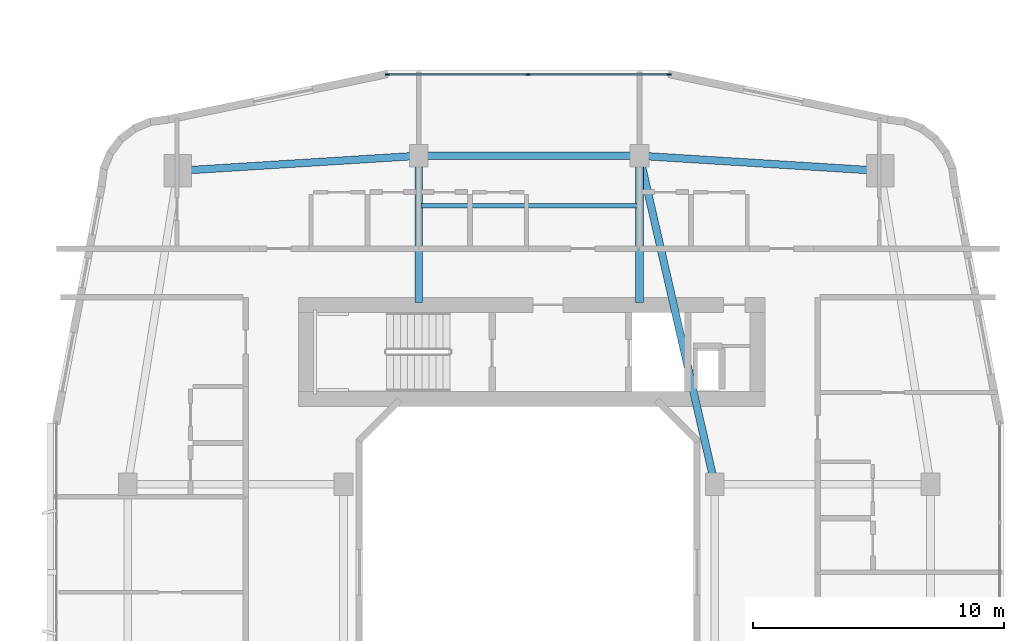
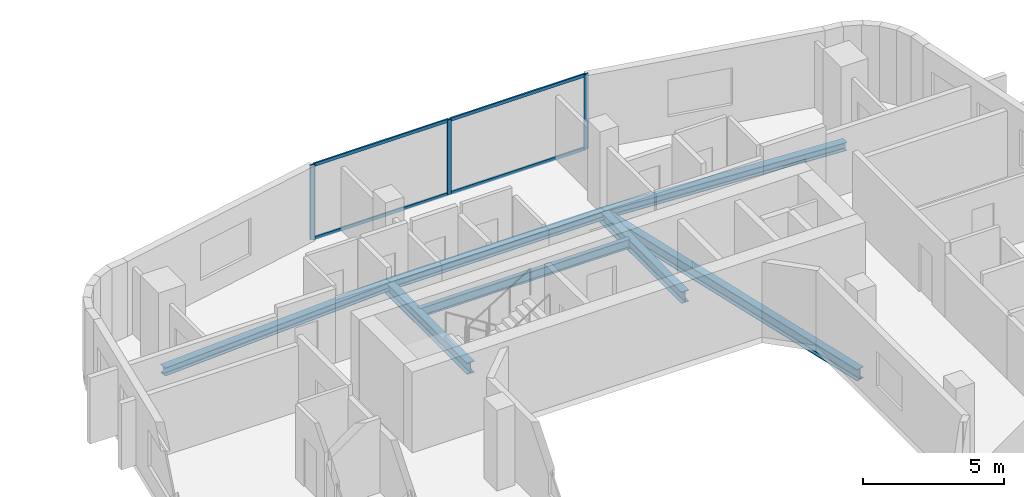
# One storey, part 11 of 27: 7 beams, 7 members, 1 element without a shape of its own.
"""IFC4 building model written with IfcOpenShell, lengths in metres."""

import ifcopenshell
import ifcopenshell.guid

model = None  # the IFC model being written
_history = None  # IfcOwnerHistory: only IFC2X3 demands one
_inside = {}  # id of a spatial element -> (the spatial element, [elements in it])
_under = {}  # id of a project, library or spatial element -> (it, [spatial elements below it])
_declared = {}  # id of a project -> (the project, [libraries it declares])
_typed = {}  # id of a type object -> (the type object, [elements of that type])
_made_of = {}  # id of a material, layer set ... -> (it, [elements and type objects made of it])


def new_model(schema):
    """Start an empty IFC model of exactly this schema.

    Asked for "IFC4X3", IfcOpenShell would pick the latest addendum, in which some entities
    have other attributes; the version numbers below select the first issue.
    IFC2X3 requires an IfcOwnerHistory on every rooted entity: one is made here for all.
    """
    global model, _history
    if schema == "IFC4X3":
        model = ifcopenshell.file(schema_version=(4, 3, 0, 0))
    else:
        model = ifcopenshell.file(schema=schema)
    _inside.clear()
    _under.clear()
    _declared.clear()
    _typed.clear()
    _made_of.clear()
    _history = None
    if model.schema == "IFC2X3":
        org = make("IfcOrganization", Name="unknown")
        user = make(
            "IfcPersonAndOrganization",
            ThePerson=make("IfcPerson", FamilyName="unknown"),
            TheOrganization=org,
        )
        app = make(
            "IfcApplication",
            ApplicationDeveloper=org,
            Version="unknown",
            ApplicationFullName="unknown",
            ApplicationIdentifier="unknown",
        )
        _history = make(
            "IfcOwnerHistory",
            OwningUser=user,
            OwningApplication=app,
            ChangeAction="ADDED",
            CreationDate=0,
        )
    return model


def make(cls, **values):
    """One entity of the class cls with the attributes given. An attribute that is None is left unset."""
    return model.create_entity(
        cls, **{name: value for name, value in values.items() if value is not None}
    )


def rooted(cls, **values):
    """An entity with a GlobalId (a new one), such as an element, a storey or a relation."""
    return make(cls, GlobalId=ifcopenshell.guid.new(), OwnerHistory=_history, **values)


def si_unit(unit_type, name, prefix=None):
    """IfcSIUnit, for example si_unit("LENGTHUNIT", "METRE", prefix="MILLI")."""
    return make("IfcSIUnit", UnitType=unit_type, Prefix=prefix, Name=name)


def derived_unit(unit_type, elements):
    """IfcDerivedUnit: a product of units, each with its exponent."""
    return make(
        "IfcDerivedUnit",
        Elements=[
            make("IfcDerivedUnitElement", Unit=unit, Exponent=power)
            for unit, power in elements
        ],
        UnitType=unit_type,
    )


def assignment(units):
    """IfcUnitAssignment: the units of a project."""
    return None if units is None else make("IfcUnitAssignment", Units=units)


def point(xyz):
    """IfcCartesianPoint."""
    return None if xyz is None else make("IfcCartesianPoint", Coordinates=xyz)


def direction(xyz):
    """IfcDirection."""
    return None if xyz is None else make("IfcDirection", DirectionRatios=xyz)


def frame(location, z_axis=None, x_axis=None):
    """IfcAxis2Placement3D, a coordinate frame: its origin and axes. An axis left out is left unset."""
    return make(
        "IfcAxis2Placement3D",
        Location=point(location),
        Axis=direction(z_axis),
        RefDirection=direction(x_axis),
    )


def frame_2d(location, x_axis=None):
    """IfcAxis2Placement2D, a coordinate frame in the plane: its origin and x axis."""
    return make(
        "IfcAxis2Placement2D", Location=point(location), RefDirection=direction(x_axis)
    )


def origin():
    """The frame at (0, 0, 0) with its axes left unset."""
    return frame((0.0, 0.0, 0.0))


def origin_2d():
    """The frame at (0, 0) in the plane with its x axis left unset."""
    return frame_2d((0.0, 0.0))


def place(relative_to, where):
    """IfcLocalPlacement: puts the frame where relative to a parent placement (None: the world)."""
    return make(
        "IfcLocalPlacement", PlacementRelTo=relative_to, RelativePlacement=where
    )


def context(
    kind, dimensions, precision=None, world=None, true_north=None, identifier=None
):
    """IfcGeometricRepresentationContext, for example the 3D "Model" context."""
    return make(
        "IfcGeometricRepresentationContext",
        ContextIdentifier=identifier,
        ContextType=kind,
        CoordinateSpaceDimension=dimensions,
        Precision=precision,
        WorldCoordinateSystem=world,
        TrueNorth=true_north,
    )


def subcontext(parent, identifier, kind, view, scale=None):
    """IfcGeometricRepresentationSubContext, for example "Body" below "Model"."""
    return make(
        "IfcGeometricRepresentationSubContext",
        ContextIdentifier=identifier,
        ContextType=kind,
        ParentContext=parent,
        TargetScale=scale,
        TargetView=view,
    )


def project(units=None, contexts=None):
    """IfcProject with its units and contexts."""
    return rooted(
        "IfcProject",
        Name="project",
        RepresentationContexts=contexts,
        UnitsInContext=assignment(units),
    )


def spatial(cls, under=None, at=None, **own):
    """A site, building, storey or space (cls), placed at a placement, below another one or the project."""
    s = rooted(cls, ObjectPlacement=at, **own)
    if under is not None:
        _under.setdefault(under.id(), (under, []))[1].append(s)
    return s


def profile(cls, at=None, kind="AREA", **sizes):
    """A parametric profile (cls). Its sizes go by their IFC names, for example OverallWidth=200.0."""
    return make(cls, ProfileType=kind, Position=at, **sizes)


def rectangle(**sizes):
    """IfcRectangleProfileDef."""
    return profile("IfcRectangleProfileDef", **sizes)


def i_section(**sizes):
    """IfcIShapeProfileDef."""
    return profile("IfcIShapeProfileDef", **sizes)


def extrude(swept, where, along, depth):
    """IfcExtrudedAreaSolid: the profile swept, set in the frame where, extruded along a direction by depth."""
    return make(
        "IfcExtrudedAreaSolid",
        SweptArea=swept,
        Position=where,
        ExtrudedDirection=direction(along),
        Depth=depth,
    )


def shape(context_of_items, identifier, shape_type, items):
    """IfcShapeRepresentation: the items that make up one representation, for example the "Body"."""
    return make(
        "IfcShapeRepresentation",
        ContextOfItems=context_of_items,
        RepresentationIdentifier=identifier,
        RepresentationType=shape_type,
        Items=items,
    )


def material(Name=None, Category=None):
    """IfcMaterial."""
    return make("IfcMaterial", Name=Name, Category=Category)


def layer(
    of_material, thickness, ventilated=None, Name=None, Category=None, Priority=None
):
    """IfcMaterialLayer: one layer of a wall or slab, of a material (None: an air gap)."""
    return make(
        "IfcMaterialLayer",
        Material=of_material,
        LayerThickness=thickness,
        IsVentilated=ventilated,
        Name=Name,
        Category=Category,
        Priority=Priority,
    )


def layer_set(layers, Name=None):
    """IfcMaterialLayerSet."""
    return make("IfcMaterialLayerSet", MaterialLayers=layers, LayerSetName=Name)


def material_profile(
    of_material, cross_section, Name=None, Category=None, Priority=None
):
    """IfcMaterialProfile: a cross section and its material."""
    return make(
        "IfcMaterialProfile",
        Name=Name,
        Material=of_material,
        Profile=cross_section,
        Priority=Priority,
        Category=Category,
    )


def profile_set(profiles, Name=None, composite=None):
    """IfcMaterialProfileSet."""
    return make(
        "IfcMaterialProfileSet",
        Name=Name,
        MaterialProfiles=profiles,
        CompositeProfile=composite,
    )


def made_of(thing, what):
    """Note that an element or type object is made of a material, layer set ...; save() writes the relation."""
    if what is not None:
        _made_of.setdefault(what.id(), (what, []))[1].append(thing)
    return thing


def type_object(cls, material=None, **own):
    """A type object (cls), such as IfcWallType, which elements share."""
    return made_of(rooted(cls, **own), material)


def element(
    cls,
    number,
    at=None,
    inside=None,
    cuts=None,
    type_object=None,
    material=None,
    context=None,
    identifier="Body",
    shape_type=None,
    held_by="IfcProductDefinitionShape",
    body=None,
    shapes=None,
    **own,
):
    """One element of the class cls, such as IfcWall. Its Tag is "e" and its number.

    at: its placement. inside: the storey or other place that contains it. cuts: it is an
    opening in that element (IfcRelVoidsElement). A single representation is given by context,
    identifier, shape_type and body (its items); several are given by shapes. held_by: the class
    of the entity that holds the representations. save() writes the other relations.
    """
    e = rooted(cls, Tag="e%d" % number, ObjectPlacement=at, **own)
    if body is not None:
        shapes = [shape(context, identifier, shape_type, body)]
    if shapes is not None:
        e.Representation = make(held_by, Representations=shapes)
    if inside is not None:
        _inside.setdefault(inside.id(), (inside, []))[1].append(e)
    if cuts is not None:
        rooted(
            "IfcRelVoidsElement", RelatingBuildingElement=cuts, RelatedOpeningElement=e
        )
    if type_object is not None:
        _typed.setdefault(type_object.id(), (type_object, []))[1].append(e)
    return made_of(e, material)


def aggregate(whole, parts):
    """IfcRelAggregates: a whole, such as a stair, and the parts it consists of."""
    return rooted("IfcRelAggregates", RelatingObject=whole, RelatedObjects=parts)


def save(model, path):
    """Write the relations noted so far, then the file.

    IfcRelAggregates (storeys below a building ...), IfcRelContainedInSpatialStructure (elements
    in a storey), IfcRelDefinesByType, IfcRelAssociatesMaterial and IfcRelDeclares: one each for
    every whole, place, type object, material and project.
    """
    for whole, parts in _under.values():
        aggregate(whole, parts)
    for where, things in _inside.values():
        rooted(
            "IfcRelContainedInSpatialStructure",
            RelatedElements=things,
            RelatingStructure=where,
        )
    for kind, things in _typed.values():
        rooted("IfcRelDefinesByType", RelatedObjects=things, RelatingType=kind)
    for what, things in _made_of.values():
        rooted("IfcRelAssociatesMaterial", RelatedObjects=things, RelatingMaterial=what)
    for by, libraries in _declared.values():
        rooted("IfcRelDeclares", RelatingContext=by, RelatedDefinitions=libraries)
    model.write(path)


model = new_model("IFC4")

# Units and contexts
model_context = context("Model", 3, precision=1e-05, world=origin(), true_north=direction((0.0, 1.0)))
body_context = subcontext(model_context, "Body", "Model", "MODEL_VIEW")
ifc_project = project(units=[si_unit("LENGTHUNIT", "METRE"), si_unit("AREAUNIT", "SQUARE_METRE"), si_unit("VOLUMEUNIT", "CUBIC_METRE"), si_unit("PLANEANGLEUNIT", "RADIAN"), si_unit("MASSUNIT", "GRAM", prefix="KILO"), derived_unit("THERMALTRANSMITTANCEUNIT", [(si_unit("POWERUNIT", "WATT"), 1), (si_unit("LENGTHUNIT", "METRE"), -2), (si_unit("THERMODYNAMICTEMPERATUREUNIT", "KELVIN"), -1)])], contexts=[model_context])

# Site, building, storey
site_placement = place(None, origin())
site = spatial("IfcSite", under=ifc_project, at=site_placement, CompositionType="ELEMENT")
building_placement = place(site_placement, origin())
building = spatial("IfcBuilding", under=site, at=building_placement, Name="Kivonza Crest Hotel", CompositionType="ELEMENT")
storey_placement = place(building_placement, frame((0.0, 0.0, 34.5)))
storey = spatial("IfcBuildingStorey", under=building, at=storey_placement, Name="L08", CompositionType="ELEMENT", Elevation=34.5)

# Beams
ifc_material_1 = material(Name="Steel S355", Category="steel")
ifc_material_profile_1 = material_profile(ifc_material_1, i_section(OverallWidth=0.300048828125, OverallDepth=0.360107421875, WebThickness=0.012451171875, FlangeThickness=0.0224609375, FilletRadius=0.027099609375, at=origin_2d()), Name="HEB 360")
ifc_profile_set_1 = profile_set([ifc_material_profile_1], Name="Steel S355")
beam_type_1 = type_object("IfcBeamType", Name="BM-HEB360", PredefinedType="SPANDREL", material=ifc_profile_set_1)
beam_1_placement = place(storey_placement, frame((91.0, 41.0, -0.429931640625), z_axis=(-0.998051985873, 0.062387767186, 0.0), x_axis=(-0.062387767186, -0.998051985873, 0.0)))
element("IfcBeam", 1, at=beam_1_placement, inside=storey, type_object=beam_type_1, Name="Companion Tower T2 L08 perimeter spandrel NE-N2", PredefinedType="SPANDREL", context=body_context, shape_type="SweptSolid", body=[
    extrude(i_section(OverallWidth=0.300048828125, OverallDepth=0.360107421875, WebThickness=0.012451171875, FlangeThickness=0.0224609375, FilletRadius=0.027099609375, at=origin_2d()), origin(), (0.0, 0.0, 1.0), 9.618896484375),
])
beam_2_placement = place(storey_placement, frame((81.39990234375, 41.60009765625, -0.429931640625), z_axis=(-1.0, 0.0, 0.0), x_axis=(0.0, -1.0, 0.0)))
element("IfcBeam", 2, at=beam_2_placement, inside=storey, type_object=beam_type_1, Name="Companion Tower T2 L08 perimeter spandrel N2-N1", PredefinedType="SPANDREL", context=body_context, shape_type="SweptSolid", body=[
    extrude(i_section(OverallWidth=0.300048828125, OverallDepth=0.360107421875, WebThickness=0.012451171875, FlangeThickness=0.0224609375, FilletRadius=0.027099609375, at=origin_2d()), origin(), (0.0, 0.0, 1.0), 8.7998046875),
])
beam_3_placement = place(storey_placement, frame((72.60009765625, 41.60009765625, -0.429931640625), z_axis=(-0.998051985873, -0.062387767186, 0.0), x_axis=(0.062387767186, -0.998051985873, 0.0)))
element("IfcBeam", 3, at=beam_3_placement, inside=storey, type_object=beam_type_1, Name="Companion Tower T2 L08 perimeter spandrel N1-NW", PredefinedType="SPANDREL", context=body_context, shape_type="SweptSolid", body=[
    extrude(i_section(OverallWidth=0.300048828125, OverallDepth=0.360107421875, WebThickness=0.012451171875, FlangeThickness=0.0224609375, FilletRadius=0.027099609375, at=origin_2d()), origin(), (0.0, 0.0, 1.0), 9.618896484375),
])
ifc_material_profile_2 = material_profile(ifc_material_1, i_section(OverallWidth=0.300048828125, OverallDepth=0.5, WebThickness=0.014404296875, FlangeThickness=0.028076171875, FilletRadius=0.027099609375, at=origin_2d()), Name="HEB 500")
ifc_profile_set_2 = profile_set([ifc_material_profile_2], Name="Steel S355")
beam_type_2 = type_object("IfcBeamType", Name="BM-HEB500", PredefinedType="BEAM", material=ifc_profile_set_2)
beam_4_placement = place(storey_placement, frame((84.39990234375, 28.5, -0.5), z_axis=(-0.223227287589, 0.974766422317, 0.0), x_axis=(-0.974766422317, -0.223227287589, 0.0)))
element("IfcBeam", 4, at=beam_4_placement, inside=storey, type_object=beam_type_2, Name="Companion Tower T2 L08 girder WR2-N2", PredefinedType="BEAM", context=body_context, shape_type="SweptSolid", body=[
    extrude(i_section(OverallWidth=0.300048828125, OverallDepth=0.5, WebThickness=0.014404296875, FlangeThickness=0.028076171875, FilletRadius=0.027099609375, at=origin_2d()), origin(), (0.0, 0.0, 1.0), 13.439208984375),
])
for number, where, z_axis, x_axis, name in (
    (5, (72.60009765625, 41.60009765625, -0.5), (0.0, -1.0, 0.0), (1.0, 0.0, 0.0), "Companion T2 L08 radial core girder RN1"),
    (6, (81.39990234375, 41.60009765625, -0.5), (0.0, -1.0, 0.0), (1.0, 0.0, 0.0), "Companion T2 L08 radial core girder RN2"),
):
    element("IfcBeam", number, at=place(storey_placement, frame(where, z_axis=z_axis, x_axis=x_axis)), inside=storey, type_object=beam_type_2, Name=name, PredefinedType="BEAM", context=body_context, shape_type="SweptSolid", body=[
        extrude(i_section(OverallWidth=0.300048828125, OverallDepth=0.5, WebThickness=0.014404296875, FlangeThickness=0.028076171875, FilletRadius=0.027099609375, at=origin_2d()), origin(), (0.0, 0.0, 1.0), 5.85009765625),
    ])
ifc_material_profile_3 = material_profile(ifc_material_1, i_section(OverallWidth=0.179931640625, OverallDepth=0.39990234375, WebThickness=0.008544921875, FlangeThickness=0.013427734375, FilletRadius=0.02099609375, at=origin_2d()), Name="IPE 400")
ifc_profile_set_3 = profile_set([ifc_material_profile_3], Name="Steel S355")
beam_type_3 = type_object("IfcBeamType", Name="BM-IPE400", PredefinedType="JOIST", material=ifc_profile_set_3)
beam_5_placement = place(storey_placement, frame((72.679931640625, 39.60009765625, -0.449951171875), z_axis=(1.0, 0.0, 0.0), x_axis=(0.0, 1.0, 0.0)))
element("IfcBeam", 7, at=beam_5_placement, inside=storey, type_object=beam_type_3, Name="Companion Tower T2 L08 North floor joist", PredefinedType="JOIST", context=body_context, shape_type="SweptSolid", body=[
    extrude(i_section(OverallWidth=0.179931640625, OverallDepth=0.39990234375, WebThickness=0.008544921875, FlangeThickness=0.013427734375, FilletRadius=0.02099609375, at=origin_2d()), origin(), (0.0, 0.0, 1.0), 8.64013671875),
])

# Curtain wall, members
ifc_material_2 = material(Name="Anodised bronze aluminium and low-E double glazing", Category="aluminium")
ifc_layer = layer(ifc_material_2, 0.179931640625)
ifc_layer_set = layer_set([ifc_layer], Name="Anodised bronze aluminium and low-E double glazing")
curtain_wall_type = type_object("IfcCurtainWallType", Name="CW-SYS-4", PredefinedType="NOTDEFINED", material=ifc_layer_set)
curtain_wall_placement = place(storey_placement, origin())
curtain_wall = element("IfcCurtainWall", 8, at=curtain_wall_placement, inside=storey, type_object=curtain_wall_type, Name="L08 unitised curtain wall CW-T2-L08-26", PredefinedType="NOTDEFINED")
ifc_material_3 = material(Name="Anodised bronze aluminium", Category="aluminium")
ifc_material_profile_4 = material_profile(ifc_material_3, rectangle(XDim=0.06494140625, YDim=0.179931640625, at=origin_2d()), Name="CW-M 65x180")
ifc_profile_set_4 = profile_set([ifc_material_profile_4], Name="Anodised bronze aluminium")
member_type_1 = type_object("IfcMemberType", Name="CW-MUL-65x180", PredefinedType="MULLION", material=ifc_profile_set_4)
member_1_placement = place(storey_placement, frame((82.575439453125, 44.840087890625, 0.0), z_axis=(0.0, 0.0, 1.0), x_axis=(0.0, -1.0, 0.0)))
member_1 = element("IfcMember", 9, at=member_1_placement, type_object=member_type_1, Name="CW-4 mullion 1", PredefinedType="MULLION", context=body_context, shape_type="SweptSolid", body=[
    extrude(rectangle(XDim=0.06494140625, YDim=0.179931640625, at=origin_2d()), origin(), (0.0, 0.0, 1.0), 3.25),
])
member_2_placement = place(storey_placement, frame((76.9599609375, 44.840087890625, 0.0), z_axis=(0.0, 0.0, 1.0), x_axis=(0.0, -1.0, 0.0)))
member_2 = element("IfcMember", 10, at=member_2_placement, type_object=member_type_1, Name="CW-4 mullion 2", PredefinedType="MULLION", context=body_context, shape_type="SweptSolid", body=[
    extrude(rectangle(XDim=0.06494140625, YDim=0.179931640625, at=origin_2d()), origin(), (0.0, 0.0, 1.0), 3.25),
])
member_3_placement = place(storey_placement, frame((71.344482421875, 44.840087890625, 0.0), z_axis=(0.0, 0.0, 1.0), x_axis=(0.0, -1.0, 0.0)))
member_3 = element("IfcMember", 11, at=member_3_placement, type_object=member_type_1, Name="CW-4 mullion 3", PredefinedType="MULLION", context=body_context, shape_type="SweptSolid", body=[
    extrude(rectangle(XDim=0.06494140625, YDim=0.179931640625, at=origin_2d()), origin(), (0.0, 0.0, 1.0), 3.25),
])
ifc_material_profile_5 = material_profile(ifc_material_3, rectangle(XDim=0.06494140625, YDim=0.139892578125, at=origin_2d()), Name="CW-T 65x140")
ifc_profile_set_5 = profile_set([ifc_material_profile_5], Name="Anodised bronze aluminium")
member_type_2 = type_object("IfcMemberType", Name="CW-TRN-65x140", PredefinedType="USERDEFINED", material=ifc_profile_set_5)
member_4_placement = place(storey_placement, frame((82.54296875, 44.840087890625, 0.032470703125), z_axis=(-1.0, 0.0, 0.0), x_axis=(0.0, -1.0, 0.0)))
member_4 = element("IfcMember", 12, at=member_4_placement, type_object=member_type_2, Name="CW-4 transom 1.1", ObjectType="TRANSOM", PredefinedType="USERDEFINED", context=body_context, shape_type="SweptSolid", body=[
    extrude(rectangle(XDim=0.06494140625, YDim=0.139892578125, at=origin_2d()), origin(), (0.0, 0.0, 1.0), 5.550537109375),
])
member_5_placement = place(storey_placement, frame((82.54296875, 44.840087890625, 3.217529296875), z_axis=(-1.0, 0.0, 0.0), x_axis=(0.0, -1.0, 0.0)))
member_5 = element("IfcMember", 13, at=member_5_placement, type_object=member_type_2, Name="CW-4 transom 1.2", ObjectType="TRANSOM", PredefinedType="USERDEFINED", context=body_context, shape_type="SweptSolid", body=[
    extrude(rectangle(XDim=0.06494140625, YDim=0.139892578125, at=origin_2d()), origin(), (0.0, 0.0, 1.0), 5.550537109375),
])
member_6_placement = place(storey_placement, frame((76.927490234375, 44.840087890625, 0.032470703125), z_axis=(-1.0, 0.0, 0.0), x_axis=(0.0, -1.0, 0.0)))
member_6 = element("IfcMember", 14, at=member_6_placement, type_object=member_type_2, Name="CW-4 transom 2.1", ObjectType="TRANSOM", PredefinedType="USERDEFINED", context=body_context, shape_type="SweptSolid", body=[
    extrude(rectangle(XDim=0.06494140625, YDim=0.139892578125, at=origin_2d()), origin(), (0.0, 0.0, 1.0), 5.550537109375),
])
member_7_placement = place(storey_placement, frame((76.927490234375, 44.840087890625, 3.217529296875), z_axis=(-1.0, 0.0, 0.0), x_axis=(0.0, -1.0, 0.0)))
member_7 = element("IfcMember", 15, at=member_7_placement, type_object=member_type_2, Name="CW-4 transom 2.2", ObjectType="TRANSOM", PredefinedType="USERDEFINED", context=body_context, shape_type="SweptSolid", body=[
    extrude(rectangle(XDim=0.06494140625, YDim=0.139892578125, at=origin_2d()), origin(), (0.0, 0.0, 1.0), 5.550537109375),
])
aggregate(curtain_wall, [member_1, member_2, member_3, member_4, member_5, member_6, member_7])

save(model, "model.ifc")
